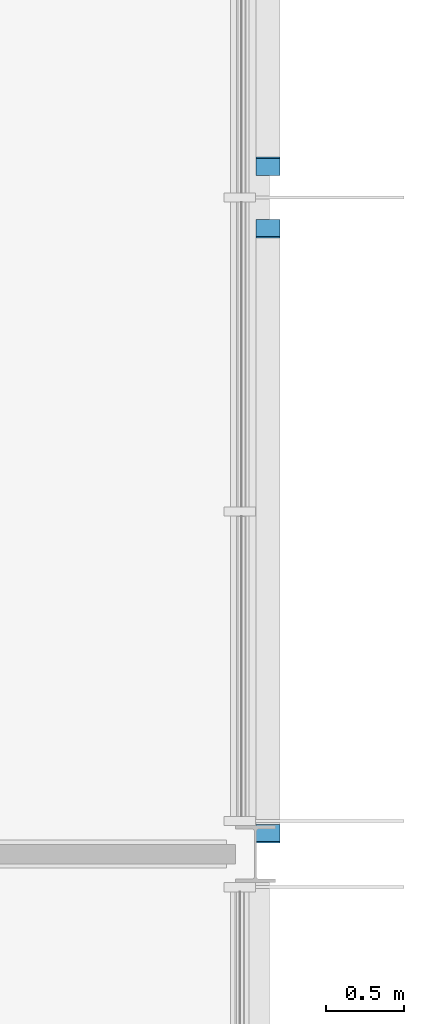
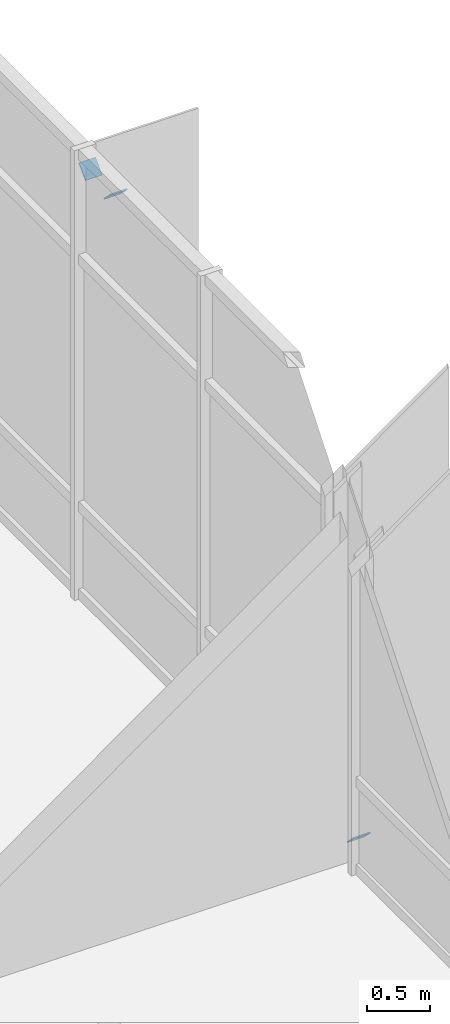
# One storey, part 13 of 17: 3 discrete accessories.
"""IFC4 building model written with IfcOpenShell, lengths in metres."""

from ifc_helpers import new_model, si_unit, direction, frame, origin, origin_2d, place, context, subcontext, project, spatial, rectangle, extrude, material, element, save


model = new_model("IFC4")

# Units and contexts
model_context = context("Model", 3, precision=1e-05, world=origin(), true_north=direction((0.0, 1.0)))
body_context = subcontext(model_context, "Body", "Model", "MODEL_VIEW")
ifc_project = project(units=[si_unit("LENGTHUNIT", "METRE"), si_unit("AREAUNIT", "SQUARE_METRE"), si_unit("VOLUMEUNIT", "CUBIC_METRE"), si_unit("PLANEANGLEUNIT", "RADIAN"), si_unit("MASSUNIT", "GRAM", prefix="KILO")], contexts=[model_context])

# Site, building, storey
site_placement = place(None, origin())
site = spatial("IfcSite", under=ifc_project, at=site_placement, CompositionType="ELEMENT")
building_placement = place(site_placement, origin())
building = spatial("IfcBuilding", under=site, at=building_placement, Name="Hlaing Beacon Police Headquarters", CompositionType="ELEMENT")
storey_placement = place(building_placement, frame((0.0, 0.0, 36.89990234375)))
storey = spatial("IfcBuildingStorey", under=building, at=storey_placement, Name="L08", CompositionType="ELEMENT", Elevation=36.89990234375)

# Discrete accessories
ifc_material = material(Name="Steel ASTM A572 Grade 50", Category="steel")
for number, where, z_axis, x_axis, name in (
    (1, (126.080078125, 42.134033203125, 0.058349609375), (0.0, -0.704124468733, -0.710076568077), (1.0, 0.0, 0.0), "Gusset plate GP-137"),
    (2, (126.080078125, 45.995849609375, 3.952880859375), (0.0, 0.704124468733, 0.710076568077), (-1.0, 0.0, 0.0), "Gusset plate GP-138"),
    (3, (126.080078125, 46.404052734375, 3.952880859375), (0.0, -0.704124468733, 0.710076568077), (1.0, 0.0, 0.0), "Gusset plate GP-140"),
):
    element("IfcDiscreteAccessory", number, at=place(storey_placement, frame(where, z_axis=z_axis, x_axis=x_axis)), inside=storey, material=ifc_material, Name=name, PredefinedType="BRACKET", context=body_context, shape_type="SweptSolid", body=[
        extrude(rectangle(XDim=0.15234375, YDim=0.15234375, at=origin_2d()), origin(), (0.0, 0.0, 1.0), 0.011962890625),
    ])

save(model, "model.ifc")
